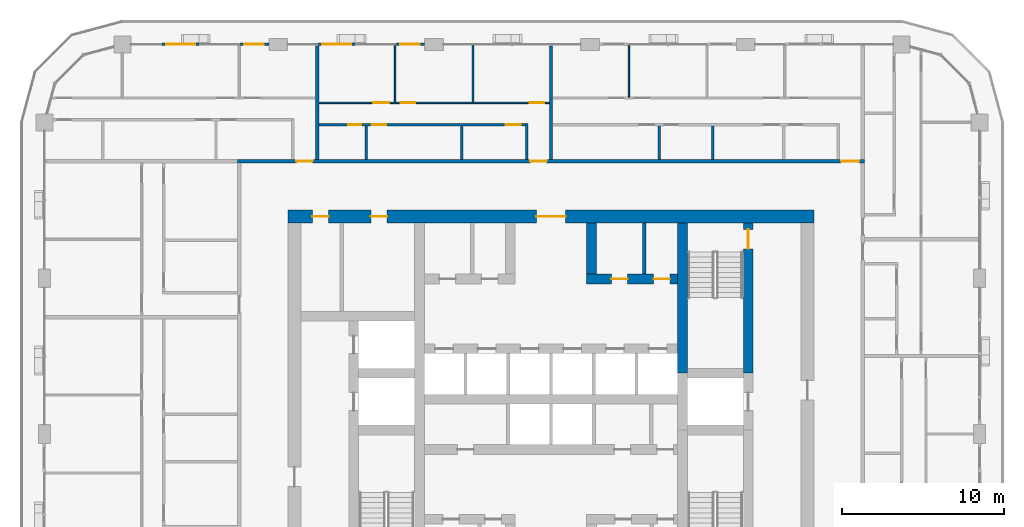
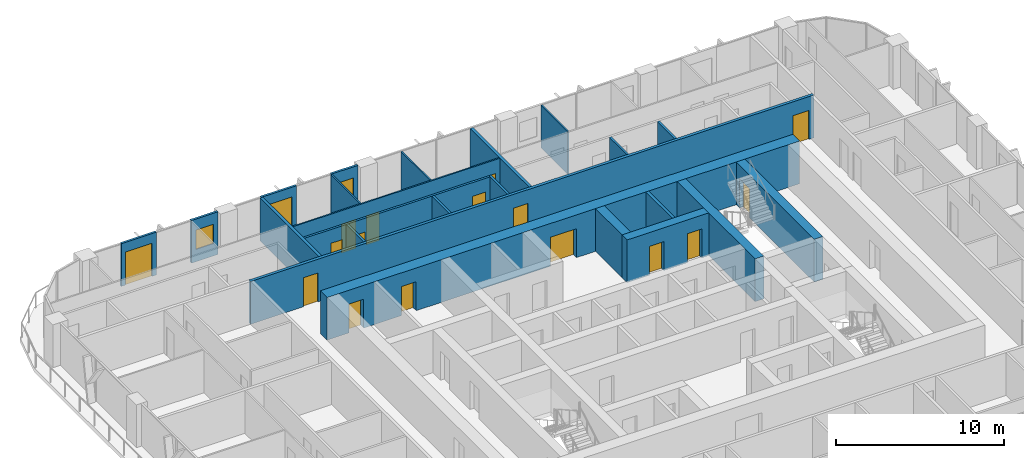
# One storey, part 14 of 22: 23 walls, 17 doors, 2 windows, 19 openings.
"""IFC4 building model written with IfcOpenShell, lengths in metres."""

from ifc_helpers import new_model, si_unit, direction, frame, frame_2d, origin, place, context, subcontext, project, spatial, rectangle, extrude, material, layer, layer_set, type_object, element, fill, save


model = new_model("IFC4")

# Units and contexts
model_context = context("Model", 3, precision=1e-05, world=origin(), true_north=direction((0.0, 1.0)))
body_context = subcontext(model_context, "Body", "Model", "MODEL_VIEW")
ifc_project = project(units=[si_unit("LENGTHUNIT", "METRE"), si_unit("AREAUNIT", "SQUARE_METRE"), si_unit("VOLUMEUNIT", "CUBIC_METRE"), si_unit("PLANEANGLEUNIT", "RADIAN"), si_unit("MASSUNIT", "GRAM", prefix="KILO")], contexts=[model_context])

# Site, building, storey
site_placement = place(None, origin())
site = spatial("IfcSite", under=ifc_project, at=site_placement, CompositionType="ELEMENT")
building_placement = place(site_placement, origin())
building = spatial("IfcBuilding", under=site, at=building_placement, Name="Madar Terraces", CompositionType="ELEMENT")
storey_placement = place(building_placement, frame((0.0, 0.0, 170.0)))
storey = spatial("IfcBuildingStorey", under=building, at=storey_placement, Name="L44", CompositionType="ELEMENT", Elevation=170.0)

# Wall
ifc_material_1 = material(Name="Concrete C70/85", Category="concrete")
ifc_layer_1 = layer(ifc_material_1, 0.60009765625)
ifc_layer_set_1 = layer_set([ifc_layer_1], Name="Concrete C70/85 (CIW3 RC wall 600)")
wall_type_1 = type_object("IfcWallType", Name="CIW3 RC wall 600", PredefinedType="SHEAR", material=ifc_layer_set_1)
wall_1_placement = place(storey_placement, frame((39.300048828125, 27.75, 0.0), z_axis=(0.0, 0.0, 1.0), x_axis=(0.0, 1.0, 0.0)))
element("IfcWall", 1, at=wall_1_placement, inside=storey, type_object=wall_type_1, Name="CORE SHAFT WALL", PredefinedType="SHEAR", context=body_context, shape_type="SweptSolid", body=[
    extrude(rectangle(XDim=9.25, YDim=0.60009765625, at=frame_2d((4.625, 0.0))), origin(), (0.0, 0.0, 1.0), 3.10009765625),
])

# Wall, opening, door
wall_2_placement = place(storey_placement, frame((43.35009765625, 27.75, 0.0), z_axis=(0.0, 0.0, 1.0), x_axis=(0.0, 1.0, 0.0)))
wall_2 = element("IfcWall", 2, at=wall_2_placement, inside=storey, type_object=wall_type_1, Name="CORE SHAFT WALL", PredefinedType="SHEAR", context=body_context, shape_type="SweptSolid", body=[
    extrude(rectangle(XDim=9.25, YDim=0.60009765625, at=frame_2d((4.625, 0.0))), origin(), (0.0, 0.0, 1.0), 3.10009765625),
])
opening_1_placement = place(wall_2_placement, frame((7.64990234375, 0.0, 0.0)))
opening_1 = element("IfcOpeningElement", 3, at=opening_1_placement, cuts=wall_2, Name="Opening SD1", PredefinedType="OPENING", context=body_context, shape_type="SweptSolid", body=[
    extrude(rectangle(XDim=1.199951171875, YDim=2.10009765625, at=frame_2d((0.60009765625, 1.050048828125))), frame((0.0, 0.31005859375, 0.0), z_axis=(0.0, -1.0, 0.0), x_axis=(1.0, 0.0, 0.0)), (0.0, 0.0, 1.0), 0.6201171875),
])
ifc_material_2 = material(Name="Steel door leaf", Category="steel")
door_type_1 = type_object("IfcDoorType", Name="Stair door 1200 x 2100", OperationType="NOTDEFINED", PredefinedType="DOOR", material=ifc_material_2)
door_1_placement = place(opening_1_placement, origin())
door_1 = element("IfcDoor", 4, at=door_1_placement, inside=storey, type_object=door_type_1, Name="STAIR DOOR", OperationType="SINGLE_SWING_RIGHT", OverallHeight=2.10009765625, OverallWidth=1.199951171875, PredefinedType="DOOR", context=body_context, shape_type="SweptSolid", body=[
    extrude(rectangle(XDim=1.199951171875, YDim=2.10009765625, at=frame_2d((0.60009765625, 1.050048828125))), frame((0.0, 0.02490234375, 0.0), z_axis=(0.0, -1.0, 0.0), x_axis=(1.0, 0.0, 0.0)), (0.0, 0.0, 1.0), 0.050048828125),
])
fill(opening_1, door_1)

# Wall, openings, doors
wall_3_placement = place(storey_placement, frame((33.39990234375, 33.550048828125, 0.0), z_axis=(0.0, 0.0, 1.0), x_axis=(1.0, 0.0, 0.0)))
wall_3 = element("IfcWall", 5, at=wall_3_placement, inside=storey, type_object=wall_type_1, Name="CORE SHAFT WALL", PredefinedType="SHEAR", context=body_context, shape_type="SweptSolid", body=[
    extrude(rectangle(XDim=5.60009765625, YDim=0.60009765625, at=frame_2d((2.800048828125, 0.0))), origin(), (0.0, 0.0, 1.0), 3.10009765625),
])
opening_2_placement = place(wall_3_placement, frame((1.52490234375, 0.0, 0.0)))
opening_2 = element("IfcOpeningElement", 6, at=opening_2_placement, cuts=wall_3, Name="Opening KD2", PredefinedType="OPENING", context=body_context, shape_type="SweptSolid", body=[
    extrude(rectangle(XDim=1.0, YDim=2.10009765625, at=frame_2d((0.5, 1.050048828125))), frame((0.0, 0.31005859375, 0.0), z_axis=(0.0, -1.0, 0.0), x_axis=(1.0, 0.0, 0.0)), (0.0, 0.0, 1.0), 0.6201171875),
])
opening_3_placement = place(wall_3_placement, frame((4.125, 0.0, 0.0)))
opening_3 = element("IfcOpeningElement", 7, at=opening_3_placement, cuts=wall_3, Name="Opening KD2", PredefinedType="OPENING", context=body_context, shape_type="SweptSolid", body=[
    extrude(rectangle(XDim=1.0, YDim=2.10009765625, at=frame_2d((0.5, 1.050048828125))), frame((0.0, 0.31005859375, 0.0), z_axis=(0.0, -1.0, 0.0), x_axis=(1.0, 0.0, 0.0)), (0.0, 0.0, 1.0), 0.6201171875),
])
ifc_material_3 = material(Name="Steel door leaf", Category="steel")
door_type_2 = type_object("IfcDoorType", Name="Service room door 1000 x 2100", OperationType="NOTDEFINED", PredefinedType="DOOR", material=ifc_material_3)
door_2_placement = place(opening_2_placement, frame((1.0, 0.0, 0.0), z_axis=(0.0, 0.0, 1.0), x_axis=(-1.0, 0.0, 0.0)))
door_2 = element("IfcDoor", 8, at=door_2_placement, inside=storey, type_object=door_type_2, Name="SERVICE ROOM DOOR", OperationType="SINGLE_SWING_RIGHT", OverallHeight=2.10009765625, OverallWidth=1.0, PredefinedType="DOOR", context=body_context, shape_type="SweptSolid", body=[
    extrude(rectangle(XDim=1.0, YDim=2.10009765625, at=frame_2d((0.5, 1.050048828125))), frame((0.0, 0.02490234375, 0.0), z_axis=(0.0, -1.0, 0.0), x_axis=(1.0, 0.0, 0.0)), (0.0, 0.0, 1.0), 0.050048828125),
])
fill(opening_2, door_2)
door_3_placement = place(opening_3_placement, frame((1.0, 0.0, 0.0), z_axis=(0.0, 0.0, 1.0), x_axis=(-1.0, 0.0, 0.0)))
door_3 = element("IfcDoor", 9, at=door_3_placement, inside=storey, type_object=door_type_2, Name="SERVICE ROOM DOOR", OperationType="SINGLE_SWING_LEFT", OverallHeight=2.10009765625, OverallWidth=1.0, PredefinedType="DOOR", context=body_context, shape_type="SweptSolid", body=[
    extrude(rectangle(XDim=1.0, YDim=2.10009765625, at=frame_2d((0.5, 1.050048828125))), frame((0.0, 0.02490234375, 0.0), z_axis=(0.0, -1.0, 0.0), x_axis=(1.0, 0.0, 0.0)), (0.0, 0.0, 1.0), 0.050048828125),
])
fill(opening_3, door_3)

# Wall
wall_4_placement = place(storey_placement, frame((33.699951171875, 33.85009765625, 0.0), z_axis=(0.0, 0.0, 1.0), x_axis=(0.0, 1.0, 0.0)))
element("IfcWall", 10, at=wall_4_placement, inside=storey, type_object=wall_type_1, Name="CORE SHAFT WALL", PredefinedType="SHEAR", context=body_context, shape_type="SweptSolid", body=[
    extrude(rectangle(XDim=3.14990234375, YDim=0.60009765625, at=frame_2d((1.574951171875, 0.0))), origin(), (0.0, 0.0, 1.0), 3.10009765625),
])

# Wall, openings, doors
ifc_material_4 = material(Name="Concrete C70/85", Category="concrete")
ifc_layer_2 = layer(ifc_material_4, 0.800048828125)
ifc_layer_set_2 = layer_set([ifc_layer_2], Name="Concrete C70/85 (CRW3 RC wall 800)")
wall_type_2 = type_object("IfcWallType", Name="CRW3 RC wall 800", PredefinedType="SHEAR", material=ifc_layer_set_2)
wall_5_placement = place(storey_placement, frame((15.0, 37.39990234375, 0.0), z_axis=(0.0, 0.0, 1.0), x_axis=(1.0, 0.0, 0.0)))
wall_5 = element("IfcWall", 11, at=wall_5_placement, inside=storey, type_object=wall_type_2, Name="CORE OUTER WALL", PredefinedType="SHEAR", context=body_context, shape_type="SweptSolid", body=[
    extrude(rectangle(XDim=32.39990234375, YDim=0.800048828125, at=frame_2d((16.199951171875, 0.0))), origin(), (0.0, 0.0, 1.0), 3.10009765625),
])
opening_4_placement = place(wall_5_placement, frame((15.300048828125, 0.0, 0.0)))
opening_4 = element("IfcOpeningElement", 12, at=opening_4_placement, cuts=wall_5, Name="Opening KD1", PredefinedType="OPENING", context=body_context, shape_type="SweptSolid", body=[
    extrude(rectangle(XDim=1.800048828125, YDim=2.10009765625, at=frame_2d((0.89990234375, 1.050048828125))), frame((0.0, 0.409912109375, 0.0), z_axis=(0.0, -1.0, 0.0), x_axis=(1.0, 0.0, 0.0)), (0.0, 0.0, 1.0), 0.820068359375),
])
opening_5_placement = place(wall_5_placement, frame((1.510009765625, 0.0, 0.0)))
opening_5 = element("IfcOpeningElement", 13, at=opening_5_placement, cuts=wall_5, Name="Opening KD2", PredefinedType="OPENING", context=body_context, shape_type="SweptSolid", body=[
    extrude(rectangle(XDim=1.0, YDim=2.10009765625, at=frame_2d((0.5, 1.050048828125))), frame((0.0, 0.409912109375, 0.0), z_axis=(0.0, -1.0, 0.0), x_axis=(1.0, 0.0, 0.0)), (0.0, 0.0, 1.0), 0.820068359375),
])
opening_6_placement = place(wall_5_placement, frame((5.110107421875, 0.0, 0.0)))
opening_6 = element("IfcOpeningElement", 14, at=opening_6_placement, cuts=wall_5, Name="Opening KD2", PredefinedType="OPENING", context=body_context, shape_type="SweptSolid", body=[
    extrude(rectangle(XDim=1.0, YDim=2.10009765625, at=frame_2d((0.5, 1.050048828125))), frame((0.0, 0.409912109375, 0.0), z_axis=(0.0, -1.0, 0.0), x_axis=(1.0, 0.0, 0.0)), (0.0, 0.0, 1.0), 0.820068359375),
])
ifc_material_5 = material(Name="Steel door leaf", Category="steel")
door_type_3 = type_object("IfcDoorType", Name="Lobby door pair 1800 x 2100", OperationType="DOUBLE_DOOR_SINGLE_SWING", PredefinedType="DOOR", material=ifc_material_5)
door_4_placement = place(opening_4_placement, origin())
door_4 = element("IfcDoor", 15, at=door_4_placement, inside=storey, type_object=door_type_3, Name="LIFT LOBBY DOOR", OperationType="DOUBLE_DOOR_SINGLE_SWING", OverallHeight=2.10009765625, OverallWidth=1.800048828125, PredefinedType="DOOR", context=body_context, shape_type="SweptSolid", body=[
    extrude(rectangle(XDim=1.800048828125, YDim=2.10009765625, at=frame_2d((0.89990234375, 1.050048828125))), frame((0.0, 0.02490234375, 0.0), z_axis=(0.0, -1.0, 0.0), x_axis=(1.0, 0.0, 0.0)), (0.0, 0.0, 1.0), 0.050048828125),
])
fill(opening_4, door_4)
door_5_placement = place(opening_5_placement, origin())
door_5 = element("IfcDoor", 16, at=door_5_placement, inside=storey, type_object=door_type_2, Name="SERVICE ROOM DOOR", OperationType="SINGLE_SWING_LEFT", OverallHeight=2.10009765625, OverallWidth=1.0, PredefinedType="DOOR", context=body_context, shape_type="SweptSolid", body=[
    extrude(rectangle(XDim=1.0, YDim=2.10009765625, at=frame_2d((0.5, 1.050048828125))), frame((0.0, 0.02490234375, 0.0), z_axis=(0.0, -1.0, 0.0), x_axis=(1.0, 0.0, 0.0)), (0.0, 0.0, 1.0), 0.050048828125),
])
fill(opening_5, door_5)
door_6_placement = place(opening_6_placement, origin())
door_6 = element("IfcDoor", 17, at=door_6_placement, inside=storey, type_object=door_type_2, Name="SERVICE ROOM DOOR", OperationType="SINGLE_SWING_RIGHT", OverallHeight=2.10009765625, OverallWidth=1.0, PredefinedType="DOOR", context=body_context, shape_type="SweptSolid", body=[
    extrude(rectangle(XDim=1.0, YDim=2.10009765625, at=frame_2d((0.5, 1.050048828125))), frame((0.0, 0.02490234375, 0.0), z_axis=(0.0, -1.0, 0.0), x_axis=(1.0, 0.0, 0.0)), (0.0, 0.0, 1.0), 0.050048828125),
])
fill(opening_6, door_6)

# Wall
ifc_material_6 = material(Name="Masonry blockwork", Category="masonry")
ifc_layer_3 = layer(ifc_material_6, 0.199951171875)
ifc_layer_set_3 = layer_set([ifc_layer_3], Name="Core partition 200 blockwork")
wall_type_3 = type_object("IfcWallType", Name="Core partition 200 blockwork", PredefinedType="PARTITIONING", material=ifc_layer_set_3)
wall_6_placement = place(storey_placement, frame((36.949951171875, 33.85009765625, 0.0), z_axis=(0.0, 0.0, 1.0), x_axis=(0.0, 1.0, 0.0)))
element("IfcWall", 18, at=wall_6_placement, inside=storey, type_object=wall_type_3, Name="SERVICE ROOM PARTITION", PredefinedType="PARTITIONING", context=body_context, shape_type="SweptSolid", body=[
    extrude(rectangle(XDim=3.14990234375, YDim=0.199951171875, at=frame_2d((1.574951171875, 0.0))), origin(), (0.0, 0.0, 1.0), 3.10009765625),
])

# Wall, opening, window
ifc_material_7 = material(Name="Aluminium composite panel, black, over insulated backing", Category="aluminium")
ifc_layer_4 = layer(ifc_material_7, 0.14990234375)
ifc_layer_set_4 = layer_set([ifc_layer_4], Name="Facade bay panel 150")
wall_type_4 = type_object("IfcWallType", Name="Facade bay panel 150", PredefinedType="SOLIDWALL", material=ifc_layer_set_4)
wall_7_placement = place(storey_placement, frame((23.425048828125, 48.0, 0.0), z_axis=(0.0, 0.0, 1.0), x_axis=(-1.0, 0.0, 0.0)))
wall_7 = element("IfcWall", 19, at=wall_7_placement, inside=storey, type_object=wall_type_4, Name="Facade bay panel", PredefinedType="SOLIDWALL", context=body_context, shape_type="SweptSolid", body=[
    extrude(rectangle(XDim=1.824951171875, YDim=0.14990234375, at=frame_2d((0.91259765625, 0.0))), origin(), (0.0, 0.0, 1.0), 3.10009765625),
])
opening_7_placement = place(wall_7_placement, frame((0.3125, 0.0, 0.89990234375)))
opening_7 = element("IfcOpeningElement", 20, at=opening_7_placement, cuts=wall_7, Name="Opening W1", PredefinedType="OPENING", context=body_context, shape_type="SweptSolid", body=[
    extrude(rectangle(XDim=1.199951171875, YDim=1.39990234375, at=frame_2d((0.60009765625, 0.699951171875))), frame((0.0, 0.0849609375, 0.0), z_axis=(0.0, -1.0, 0.0), x_axis=(1.0, 0.0, 0.0)), (0.0, 0.0, 1.0), 0.169921875),
])
ifc_material_8 = material(Name="Glass, clear, with black aluminium frame", Category="aluminium")
window_type = type_object("IfcWindowType", Name="Vent window 1200 x 1400", PartitioningType="SINGLE_PANEL", PredefinedType="WINDOW", material=ifc_material_8)
window_1_placement = place(opening_7_placement, origin())
window_1 = element("IfcWindow", 21, at=window_1_placement, inside=storey, type_object=window_type, Name="Operable vent window", OverallHeight=1.39990234375, OverallWidth=1.199951171875, PartitioningType="SINGLE_PANEL", PredefinedType="WINDOW", context=body_context, shape_type="SweptSolid", body=[
    extrude(rectangle(XDim=1.199951171875, YDim=1.39990234375, at=frame_2d((0.60009765625, 0.699951171875))), frame((0.0, 0.030029296875, 0.0), z_axis=(0.0, -1.0, 0.0), x_axis=(1.0, 0.0, 0.0)), (0.0, 0.0, 1.0), 0.06005859375),
])
fill(opening_7, window_1)

# Wall, opening, door
wall_8_placement = place(storey_placement, frame((19.199951171875, 48.0, 0.0), z_axis=(0.0, 0.0, 1.0), x_axis=(-1.0, 0.0, 0.0)))
wall_8 = element("IfcWall", 22, at=wall_8_placement, inside=storey, type_object=wall_type_4, Name="Facade bay panel", PredefinedType="SOLIDWALL", context=body_context, shape_type="SweptSolid", body=[
    extrude(rectangle(XDim=2.39990234375, YDim=0.14990234375, at=frame_2d((1.199951171875, 0.0))), origin(), (0.0, 0.0, 1.0), 3.10009765625),
])
opening_8_placement = place(wall_8_placement, frame((0.300048828125, 0.0, 0.0)))
opening_8 = element("IfcOpeningElement", 23, at=opening_8_placement, cuts=wall_8, Name="Opening ED1", PredefinedType="OPENING", context=body_context, shape_type="SweptSolid", body=[
    extrude(rectangle(XDim=1.800048828125, YDim=2.39990234375, at=frame_2d((0.89990234375, 1.199951171875))), frame((0.0, 0.0849609375, 0.0), z_axis=(0.0, -1.0, 0.0), x_axis=(1.0, 0.0, 0.0)), (0.0, 0.0, 1.0), 0.169921875),
])
ifc_material_9 = material(Name="Glass, clear, with black aluminium frame", Category="aluminium")
door_type_4 = type_object("IfcDoorType", Name="Balcony and terrace sliding door 1800 x 2400", OperationType="SLIDING_TO_LEFT", PredefinedType="DOOR", material=ifc_material_9)
door_7_placement = place(opening_8_placement, origin())
door_7 = element("IfcDoor", 24, at=door_7_placement, inside=storey, type_object=door_type_4, Name="Balcony door", OperationType="SLIDING_TO_LEFT", OverallHeight=2.39990234375, OverallWidth=1.800048828125, PredefinedType="DOOR", context=body_context, shape_type="SweptSolid", body=[
    extrude(rectangle(XDim=1.800048828125, YDim=2.39990234375, at=frame_2d((0.89990234375, 1.199951171875))), frame((0.0, 0.02490234375, 0.0), z_axis=(0.0, -1.0, 0.0), x_axis=(1.0, 0.0, 0.0)), (0.0, 0.0, 1.0), 0.050048828125),
])
fill(opening_8, door_7)

# Wall, opening, window
wall_9_placement = place(storey_placement, frame((13.824951171875, 48.0, 0.0), z_axis=(0.0, 0.0, 1.0), x_axis=(-1.0, 0.0, 0.0)))
wall_9 = element("IfcWall", 25, at=wall_9_placement, inside=storey, type_object=wall_type_4, Name="Facade bay panel", PredefinedType="SOLIDWALL", context=body_context, shape_type="SweptSolid", body=[
    extrude(rectangle(XDim=1.824951171875, YDim=0.14990234375, at=frame_2d((0.91259765625, 0.0))), origin(), (0.0, 0.0, 1.0), 3.10009765625),
])
opening_9_placement = place(wall_9_placement, frame((0.3125, 0.0, 0.89990234375)))
opening_9 = element("IfcOpeningElement", 26, at=opening_9_placement, cuts=wall_9, Name="Opening W1", PredefinedType="OPENING", context=body_context, shape_type="SweptSolid", body=[
    extrude(rectangle(XDim=1.199951171875, YDim=1.39990234375, at=frame_2d((0.60009765625, 0.699951171875))), frame((0.0, 0.0849609375, 0.0), z_axis=(0.0, -1.0, 0.0), x_axis=(1.0, 0.0, 0.0)), (0.0, 0.0, 1.0), 0.169921875),
])
window_2_placement = place(opening_9_placement, origin())
window_2 = element("IfcWindow", 27, at=window_2_placement, inside=storey, type_object=window_type, Name="Operable vent window", OverallHeight=1.39990234375, OverallWidth=1.199951171875, PartitioningType="SINGLE_PANEL", PredefinedType="WINDOW", context=body_context, shape_type="SweptSolid", body=[
    extrude(rectangle(XDim=1.199951171875, YDim=1.39990234375, at=frame_2d((0.60009765625, 0.699951171875))), frame((0.0, 0.030029296875, 0.0), z_axis=(0.0, -1.0, 0.0), x_axis=(1.0, 0.0, 0.0)), (0.0, 0.0, 1.0), 0.06005859375),
])
fill(opening_9, window_2)

# Wall, opening, door
wall_10_placement = place(storey_placement, frame((9.60009765625, 48.0, 0.0), z_axis=(0.0, 0.0, 1.0), x_axis=(-1.0, 0.0, 0.0)))
wall_10 = element("IfcWall", 28, at=wall_10_placement, inside=storey, type_object=wall_type_4, Name="Facade bay panel", PredefinedType="SOLIDWALL", context=body_context, shape_type="SweptSolid", body=[
    extrude(rectangle(XDim=2.400146484375, YDim=0.14990234375, at=frame_2d((1.2001953125, 0.0))), origin(), (0.0, 0.0, 1.0), 3.10009765625),
])
opening_10_placement = place(wall_10_placement, frame((0.300048828125, 0.0, 0.0)))
opening_10 = element("IfcOpeningElement", 29, at=opening_10_placement, cuts=wall_10, Name="Opening ED1", PredefinedType="OPENING", context=body_context, shape_type="SweptSolid", body=[
    extrude(rectangle(XDim=1.800048828125, YDim=2.39990234375, at=frame_2d((0.89990234375, 1.199951171875))), frame((0.0, 0.0849609375, 0.0), z_axis=(0.0, -1.0, 0.0), x_axis=(1.0, 0.0, 0.0)), (0.0, 0.0, 1.0), 0.169921875),
])
door_8_placement = place(opening_10_placement, origin())
door_8 = element("IfcDoor", 30, at=door_8_placement, inside=storey, type_object=door_type_4, Name="Balcony door", OperationType="SLIDING_TO_RIGHT", OverallHeight=2.39990234375, OverallWidth=1.800048828125, PredefinedType="DOOR", context=body_context, shape_type="SweptSolid", body=[
    extrude(rectangle(XDim=1.800048828125, YDim=2.39990234375, at=frame_2d((0.89990234375, 1.199951171875))), frame((0.0, 0.02490234375, 0.0), z_axis=(0.0, -1.0, 0.0), x_axis=(1.0, 0.0, 0.0)), (0.0, 0.0, 1.0), 0.050048828125),
])
fill(opening_10, door_8)

# Walls
ifc_material_10 = material(Name="Gypsum board on steel studs", Category="steel")
ifc_layer_5 = layer(ifc_material_10, 0.10009765625)
ifc_layer_set_5 = layer_set([ifc_layer_5], Name="Flat partition 100")
wall_type_5 = type_object("IfcWallType", Name="Flat partition 100", PredefinedType="PARTITIONING", material=ifc_layer_set_5)
wall_11_placement = place(storey_placement, frame((36.0, 44.75, 0.0), z_axis=(0.0, 0.0, 1.0), x_axis=(0.0, 1.0, 0.0)))
element("IfcWall", 31, at=wall_11_placement, inside=storey, type_object=wall_type_5, Name="Flat partition 100", PredefinedType="PARTITIONING", context=body_context, shape_type="SweptSolid", body=[
    extrude(rectangle(XDim=3.14990234375, YDim=0.10009765625, at=frame_2d((1.574951171875, 0.0))), origin(), (0.0, 0.0, 1.0), 3.10009765625),
])
for number, where, z_axis, x_axis, name in (
    (32, (26.39990234375, 44.449951171875, 0.0), (0.0, 0.0, 1.0), (0.0, 1.0, 0.0), "Flat partition 100"),
    (33, (21.60009765625, 44.449951171875, 0.0), (0.0, 0.0, 1.0), (0.0, 1.0, 0.0), "Flat partition 100"),
):
    element("IfcWall", number, at=place(storey_placement, frame(where, z_axis=z_axis, x_axis=x_axis)), inside=storey, type_object=wall_type_5, Name=name, PredefinedType="PARTITIONING", context=body_context, shape_type="SweptSolid", body=[
        extrude(rectangle(XDim=3.449951171875, YDim=0.10009765625, at=frame_2d((1.72509765625, 0.0))), origin(), (0.0, 0.0, 1.0), 3.10009765625),
    ])

# Wall, openings, doors
wall_12_placement = place(storey_placement, frame((16.89990234375, 44.39990234375, 0.0), z_axis=(0.0, 0.0, 1.0), x_axis=(1.0, 0.0, 0.0)))
wall_12 = element("IfcWall", 34, at=wall_12_placement, inside=storey, type_object=wall_type_5, Name="Flat partition 100", PredefinedType="PARTITIONING", context=body_context, shape_type="SweptSolid", body=[
    extrude(rectangle(XDim=14.2001953125, YDim=0.10009765625, at=frame_2d((7.10009765625, 0.0))), origin(), (0.0, 0.0, 1.0), 3.10009765625),
])
opening_11_placement = place(wall_12_placement, frame((13.0, 0.0, 0.0)))
opening_11 = element("IfcOpeningElement", 35, at=opening_11_placement, cuts=wall_12, Name="Opening D2", PredefinedType="OPENING", context=body_context, shape_type="SweptSolid", body=[
    extrude(rectangle(XDim=0.89990234375, YDim=2.10009765625, at=frame_2d((0.449951171875, 1.050048828125))), frame((0.0, 0.06005859375, 0.0), z_axis=(0.0, -1.0, 0.0), x_axis=(1.0, 0.0, 0.0)), (0.0, 0.0, 1.0), 0.1201171875),
])
opening_12_placement = place(wall_12_placement, frame((5.050048828125, 0.0, 0.0)))
opening_12 = element("IfcOpeningElement", 36, at=opening_12_placement, cuts=wall_12, Name="Opening D2", PredefinedType="OPENING", context=body_context, shape_type="SweptSolid", body=[
    extrude(rectangle(XDim=0.89990234375, YDim=2.10009765625, at=frame_2d((0.449951171875, 1.050048828125))), frame((0.0, 0.06005859375, 0.0), z_axis=(0.0, -1.0, 0.0), x_axis=(1.0, 0.0, 0.0)), (0.0, 0.0, 1.0), 0.1201171875),
])
opening_13_placement = place(wall_12_placement, frame((3.35009765625, 0.0, 0.0)))
opening_13 = element("IfcOpeningElement", 37, at=opening_13_placement, cuts=wall_12, Name="Opening D3", PredefinedType="OPENING", context=body_context, shape_type="SweptSolid", body=[
    extrude(rectangle(XDim=1.0, YDim=2.10009765625, at=frame_2d((0.5, 1.050048828125))), frame((0.0, 0.06005859375, 0.0), z_axis=(0.0, -1.0, 0.0), x_axis=(1.0, 0.0, 0.0)), (0.0, 0.0, 1.0), 0.1201171875),
])
ifc_material_11 = material(Name="Timber door leaf", Category="wood")
door_type_5 = type_object("IfcDoorType", Name="Flat living room door 1000", OperationType="NOTDEFINED", PredefinedType="DOOR", material=ifc_material_11)
door_9_placement = place(opening_13_placement, origin())
door_9 = element("IfcDoor", 38, at=door_9_placement, inside=storey, type_object=door_type_5, Name="Flat living room door 1000", OperationType="SINGLE_SWING_RIGHT", OverallHeight=2.10009765625, OverallWidth=1.0, PredefinedType="DOOR", context=body_context, shape_type="SweptSolid", body=[
    extrude(rectangle(XDim=1.0, YDim=2.10009765625, at=frame_2d((0.5, 1.050048828125))), frame((0.0, 0.02490234375, 0.0), z_axis=(0.0, -1.0, 0.0), x_axis=(1.0, 0.0, 0.0)), (0.0, 0.0, 1.0), 0.050048828125),
])
fill(opening_13, door_9)
ifc_material_12 = material(Name="Timber door leaf", Category="wood")
door_type_6 = type_object("IfcDoorType", Name="Flat room door 900", OperationType="NOTDEFINED", PredefinedType="DOOR", material=ifc_material_12)
door_10_placement = place(opening_11_placement, origin())
door_10 = element("IfcDoor", 39, at=door_10_placement, inside=storey, type_object=door_type_6, Name="Flat room door 900", OperationType="SINGLE_SWING_RIGHT", OverallHeight=2.10009765625, OverallWidth=0.89990234375, PredefinedType="DOOR", context=body_context, shape_type="SweptSolid", body=[
    extrude(rectangle(XDim=0.89990234375, YDim=2.10009765625, at=frame_2d((0.449951171875, 1.050048828125))), frame((0.0, 0.02490234375, 0.0), z_axis=(0.0, -1.0, 0.0), x_axis=(1.0, 0.0, 0.0)), (0.0, 0.0, 1.0), 0.050048828125),
])
fill(opening_11, door_10)
door_11_placement = place(opening_12_placement, origin())
door_11 = element("IfcDoor", 40, at=door_11_placement, inside=storey, type_object=door_type_6, Name="Flat room door 900", OperationType="SINGLE_SWING_LEFT", OverallHeight=2.10009765625, OverallWidth=0.89990234375, PredefinedType="DOOR", context=body_context, shape_type="SweptSolid", body=[
    extrude(rectangle(XDim=0.89990234375, YDim=2.10009765625, at=frame_2d((0.449951171875, 1.050048828125))), frame((0.0, 0.02490234375, 0.0), z_axis=(0.0, -1.0, 0.0), x_axis=(1.0, 0.0, 0.0)), (0.0, 0.0, 1.0), 0.050048828125),
])
fill(opening_12, door_11)

ifc_material_13 = material(Name="Lightweight blockwork", Category="masonry")
ifc_layer_6 = layer(ifc_material_13, 0.199951171875)
ifc_layer_set_6 = layer_set([ifc_layer_6], Name="Flat party and entrance wall 200")
wall_type_6 = type_object("IfcWallType", Name="Flat party and entrance wall 200", PredefinedType="PARTITIONING", material=ifc_layer_set_6)
wall_13_placement = place(storey_placement, frame((11.89990234375, 40.800048828125, 0.0), z_axis=(0.0, 0.0, 1.0), x_axis=(1.0, 0.0, 0.0)))
wall_13 = element("IfcWall", 41, at=wall_13_placement, inside=storey, type_object=wall_type_6, Name="Flat party and entrance wall 200", PredefinedType="PARTITIONING", context=body_context, shape_type="SweptSolid", body=[
    extrude(rectangle(XDim=38.60009765625, YDim=0.199951171875, at=frame_2d((19.300048828125, 0.0))), origin(), (0.0, 0.0, 1.0), 3.10009765625),
])
opening_14_placement = place(wall_13_placement, frame((37.175048828125, 0.0, 0.0)))
opening_14 = element("IfcOpeningElement", 42, at=opening_14_placement, cuts=wall_13, Name="Opening D6", PredefinedType="OPENING", context=body_context, shape_type="SweptSolid", body=[
    extrude(rectangle(XDim=1.10009765625, YDim=2.10009765625, at=frame_2d((0.550048828125, 1.050048828125))), frame((0.0, 0.10986328125, 0.0), z_axis=(0.0, -1.0, 0.0), x_axis=(1.0, 0.0, 0.0)), (0.0, 0.0, 1.0), 0.219970703125),
])
opening_15_placement = place(wall_13_placement, frame((18.02490234375, 0.0, 0.0)))
opening_15 = element("IfcOpeningElement", 43, at=opening_15_placement, cuts=wall_13, Name="Opening D1", PredefinedType="OPENING", context=body_context, shape_type="SweptSolid", body=[
    extrude(rectangle(XDim=1.0, YDim=2.10009765625, at=frame_2d((0.5, 1.050048828125))), frame((0.0, 0.10986328125, 0.0), z_axis=(0.0, -1.0, 0.0), x_axis=(1.0, 0.0, 0.0)), (0.0, 0.0, 1.0), 0.219970703125),
])
opening_16_placement = place(wall_13_placement, frame((3.625, 0.0, 0.0)))
opening_16 = element("IfcOpeningElement", 44, at=opening_16_placement, cuts=wall_13, Name="Opening D1", PredefinedType="OPENING", context=body_context, shape_type="SweptSolid", body=[
    extrude(rectangle(XDim=1.0, YDim=2.10009765625, at=frame_2d((0.5, 1.050048828125))), frame((0.0, 0.10986328125, 0.0), z_axis=(0.0, -1.0, 0.0), x_axis=(1.0, 0.0, 0.0)), (0.0, 0.0, 1.0), 0.219970703125),
])
ifc_material_14 = material(Name="Timber fire door leaf", Category="wood")
door_type_7 = type_object("IfcDoorType", Name="Flat entrance door 1000 FD30S", OperationType="NOTDEFINED", PredefinedType="DOOR", material=ifc_material_14)
door_12_placement = place(opening_15_placement, origin())
door_12 = element("IfcDoor", 45, at=door_12_placement, inside=storey, type_object=door_type_7, Name="Flat entrance door 1000 FD30S", OperationType="SINGLE_SWING_RIGHT", OverallHeight=2.10009765625, OverallWidth=1.0, PredefinedType="DOOR", context=body_context, shape_type="SweptSolid", body=[
    extrude(rectangle(XDim=1.0, YDim=2.10009765625, at=frame_2d((0.5, 1.050048828125))), frame((0.0, 0.02490234375, 0.0), z_axis=(0.0, -1.0, 0.0), x_axis=(1.0, 0.0, 0.0)), (0.0, 0.0, 1.0), 0.050048828125),
])
fill(opening_15, door_12)
door_13_placement = place(opening_16_placement, origin())
door_13 = element("IfcDoor", 46, at=door_13_placement, inside=storey, type_object=door_type_7, Name="Flat entrance door 1000 FD30S", OperationType="SINGLE_SWING_RIGHT", OverallHeight=2.10009765625, OverallWidth=1.0, PredefinedType="DOOR", context=body_context, shape_type="SweptSolid", body=[
    extrude(rectangle(XDim=1.0, YDim=2.10009765625, at=frame_2d((0.5, 1.050048828125))), frame((0.0, 0.02490234375, 0.0), z_axis=(0.0, -1.0, 0.0), x_axis=(1.0, 0.0, 0.0)), (0.0, 0.0, 1.0), 0.050048828125),
])
fill(opening_16, door_13)
ifc_material_15 = material(Name="Timber fire door leaf", Category="wood")
door_type_8 = type_object("IfcDoorType", Name="Flat entrance door 1100 FD30S", OperationType="NOTDEFINED", PredefinedType="DOOR", material=ifc_material_15)
door_14_placement = place(opening_14_placement, origin())
door_14 = element("IfcDoor", 47, at=door_14_placement, inside=storey, type_object=door_type_8, Name="Flat entrance door 1100 FD30S", OperationType="SINGLE_SWING_RIGHT", OverallHeight=2.10009765625, OverallWidth=1.10009765625, PredefinedType="DOOR", context=body_context, shape_type="SweptSolid", body=[
    extrude(rectangle(XDim=1.10009765625, YDim=2.10009765625, at=frame_2d((0.550048828125, 1.050048828125))), frame((0.0, 0.02490234375, 0.0), z_axis=(0.0, -1.0, 0.0), x_axis=(1.0, 0.0, 0.0)), (0.0, 0.0, 1.0), 0.050048828125),
])
fill(opening_14, door_14)

# Walls
for number, where, z_axis, x_axis, name in (
    (48, (31.199951171875, 47.89990234375, 0.0), (0.0, 0.0, 1.0), (0.0, -1.0, 0.0), "Flat party and entrance wall 200"),
    (49, (16.800048828125, 47.89990234375, 0.0), (0.0, 0.0, 1.0), (0.0, -1.0, 0.0), "Flat party and entrance wall 200"),
):
    element("IfcWall", number, at=place(storey_placement, frame(where, z_axis=z_axis, x_axis=x_axis)), inside=storey, type_object=wall_type_6, Name=name, PredefinedType="PARTITIONING", context=body_context, shape_type="SweptSolid", body=[
        extrude(rectangle(XDim=7.0, YDim=0.199951171875, at=frame_2d((3.5, 0.0))), origin(), (0.0, 0.0, 1.0), 3.10009765625),
    ])
ifc_material_16 = material(Name="Lightweight blockwork", Category="masonry")
ifc_layer_7 = layer(ifc_material_16, 0.14990234375)
ifc_layer_set_7 = layer_set([ifc_layer_7], Name="Flat wet-room partition 150")
wall_type_7 = type_object("IfcWallType", Name="Flat wet-room partition 150", PredefinedType="PARTITIONING", material=ifc_layer_set_7)
for number, where, z_axis, x_axis, name in (
    (50, (41.157958984375, 40.89990234375, 0.0), (0.0, 0.0, 1.0), (0.0, 1.0, 0.0), "Flat wet-room partition 150"),
    (51, (37.8720703125, 40.89990234375, 0.0), (0.0, 0.0, 1.0), (0.0, 1.0, 0.0), "Flat wet-room partition 150"),
    (52, (25.709716796875, 40.89990234375, 0.0), (0.0, 0.0, 1.0), (0.0, 1.0, 0.0), "Flat wet-room partition 150"),
    (53, (19.83642578125, 40.89990234375, 0.0), (0.0, 0.0, 1.0), (0.0, 1.0, 0.0), "Flat wet-room partition 150"),
):
    element("IfcWall", number, at=place(storey_placement, frame(where, z_axis=z_axis, x_axis=x_axis)), inside=storey, type_object=wall_type_7, Name=name, PredefinedType="PARTITIONING", context=body_context, shape_type="SweptSolid", body=[
        extrude(rectangle(XDim=2.0751953125, YDim=0.14990234375, at=frame_2d((1.03759765625, 0.0))), origin(), (0.0, 0.0, 1.0), 3.10009765625),
    ])
wall_14_placement = place(storey_placement, frame((29.699951171875, 40.89990234375, 0.0), z_axis=(0.0, 0.0, 1.0), x_axis=(0.0, 1.0, 0.0)))
element("IfcWall", 54, at=wall_14_placement, inside=storey, type_object=wall_type_7, Name="Flat wet-room partition 150", PredefinedType="PARTITIONING", context=body_context, shape_type="SweptSolid", body=[
    extrude(rectangle(XDim=2.22509765625, YDim=0.14990234375, at=frame_2d((1.112548828125, 0.0))), origin(), (0.0, 0.0, 1.0), 3.10009765625),
])

# Wall, openings, doors
wall_15_placement = place(storey_placement, frame((29.625, 43.050048828125, 0.0), z_axis=(0.0, 0.0, 1.0), x_axis=(-1.0, 0.0, 0.0)))
wall_15 = element("IfcWall", 55, at=wall_15_placement, inside=storey, type_object=wall_type_7, Name="Flat wet-room partition 150", PredefinedType="PARTITIONING", context=body_context, shape_type="SweptSolid", body=[
    extrude(rectangle(XDim=12.72509765625, YDim=0.14990234375, at=frame_2d((6.362548828125, 0.0))), origin(), (0.0, 0.0, 1.0), 3.10009765625),
])
opening_17_placement = place(wall_15_placement, frame((0.300048828125, 0.0, 0.0)))
opening_17 = element("IfcOpeningElement", 56, at=opening_17_placement, cuts=wall_15, Name="Opening D5", PredefinedType="OPENING", context=body_context, shape_type="SweptSolid", body=[
    extrude(rectangle(XDim=0.89990234375, YDim=2.10009765625, at=frame_2d((0.449951171875, 1.050048828125))), frame((0.0, 0.0849609375, 0.0), z_axis=(0.0, -1.0, 0.0), x_axis=(1.0, 0.0, 0.0)), (0.0, 0.0, 1.0), 0.169921875),
])
opening_18_placement = place(wall_15_placement, frame((8.5634765625, 0.0, 0.0)))
opening_18 = element("IfcOpeningElement", 57, at=opening_18_placement, cuts=wall_15, Name="Opening D2", PredefinedType="OPENING", context=body_context, shape_type="SweptSolid", body=[
    extrude(rectangle(XDim=0.89990234375, YDim=2.10009765625, at=frame_2d((0.449951171875, 1.050048828125))), frame((0.0, 0.0849609375, 0.0), z_axis=(0.0, -1.0, 0.0), x_axis=(1.0, 0.0, 0.0)), (0.0, 0.0, 1.0), 0.169921875),
])
opening_19_placement = place(wall_15_placement, frame((10.113525390625, 0.0, 0.0)))
opening_19 = element("IfcOpeningElement", 58, at=opening_19_placement, cuts=wall_15, Name="Opening D4", PredefinedType="OPENING", context=body_context, shape_type="SweptSolid", body=[
    extrude(rectangle(XDim=0.800048828125, YDim=2.10009765625, at=frame_2d((0.39990234375, 1.050048828125))), frame((0.0, 0.0849609375, 0.0), z_axis=(0.0, -1.0, 0.0), x_axis=(1.0, 0.0, 0.0)), (0.0, 0.0, 1.0), 0.169921875),
])
ifc_material_17 = material(Name="Timber door leaf", Category="wood")
door_type_9 = type_object("IfcDoorType", Name="Flat accessible bathroom door 900", OperationType="NOTDEFINED", PredefinedType="DOOR", material=ifc_material_17)
door_15_placement = place(opening_17_placement, origin())
door_15 = element("IfcDoor", 59, at=door_15_placement, inside=storey, type_object=door_type_9, Name="Flat accessible bathroom door 900", OperationType="SINGLE_SWING_LEFT", OverallHeight=2.10009765625, OverallWidth=0.89990234375, PredefinedType="DOOR", context=body_context, shape_type="SweptSolid", body=[
    extrude(rectangle(XDim=0.89990234375, YDim=2.10009765625, at=frame_2d((0.449951171875, 1.050048828125))), frame((0.0, 0.02490234375, 0.0), z_axis=(0.0, -1.0, 0.0), x_axis=(1.0, 0.0, 0.0)), (0.0, 0.0, 1.0), 0.050048828125),
])
fill(opening_17, door_15)
ifc_material_18 = material(Name="Timber door leaf", Category="wood")
door_type_10 = type_object("IfcDoorType", Name="Flat bathroom door 800", OperationType="NOTDEFINED", PredefinedType="DOOR", material=ifc_material_18)
door_16_placement = place(opening_19_placement, origin())
door_16 = element("IfcDoor", 60, at=door_16_placement, inside=storey, type_object=door_type_10, Name="Flat bathroom door 800", OperationType="SINGLE_SWING_LEFT", OverallHeight=2.10009765625, OverallWidth=0.800048828125, PredefinedType="DOOR", context=body_context, shape_type="SweptSolid", body=[
    extrude(rectangle(XDim=0.800048828125, YDim=2.10009765625, at=frame_2d((0.39990234375, 1.050048828125))), frame((0.0, 0.02490234375, 0.0), z_axis=(0.0, -1.0, 0.0), x_axis=(1.0, 0.0, 0.0)), (0.0, 0.0, 1.0), 0.050048828125),
])
fill(opening_19, door_16)
door_17_placement = place(opening_18_placement, origin())
door_17 = element("IfcDoor", 61, at=door_17_placement, inside=storey, type_object=door_type_6, Name="Flat room door 900", OperationType="SINGLE_SWING_RIGHT", OverallHeight=2.10009765625, OverallWidth=0.89990234375, PredefinedType="DOOR", context=body_context, shape_type="SweptSolid", body=[
    extrude(rectangle(XDim=0.89990234375, YDim=2.10009765625, at=frame_2d((0.449951171875, 1.050048828125))), frame((0.0, 0.02490234375, 0.0), z_axis=(0.0, -1.0, 0.0), x_axis=(1.0, 0.0, 0.0)), (0.0, 0.0, 1.0), 0.050048828125),
])
fill(opening_18, door_17)

save(model, "model.ifc")
